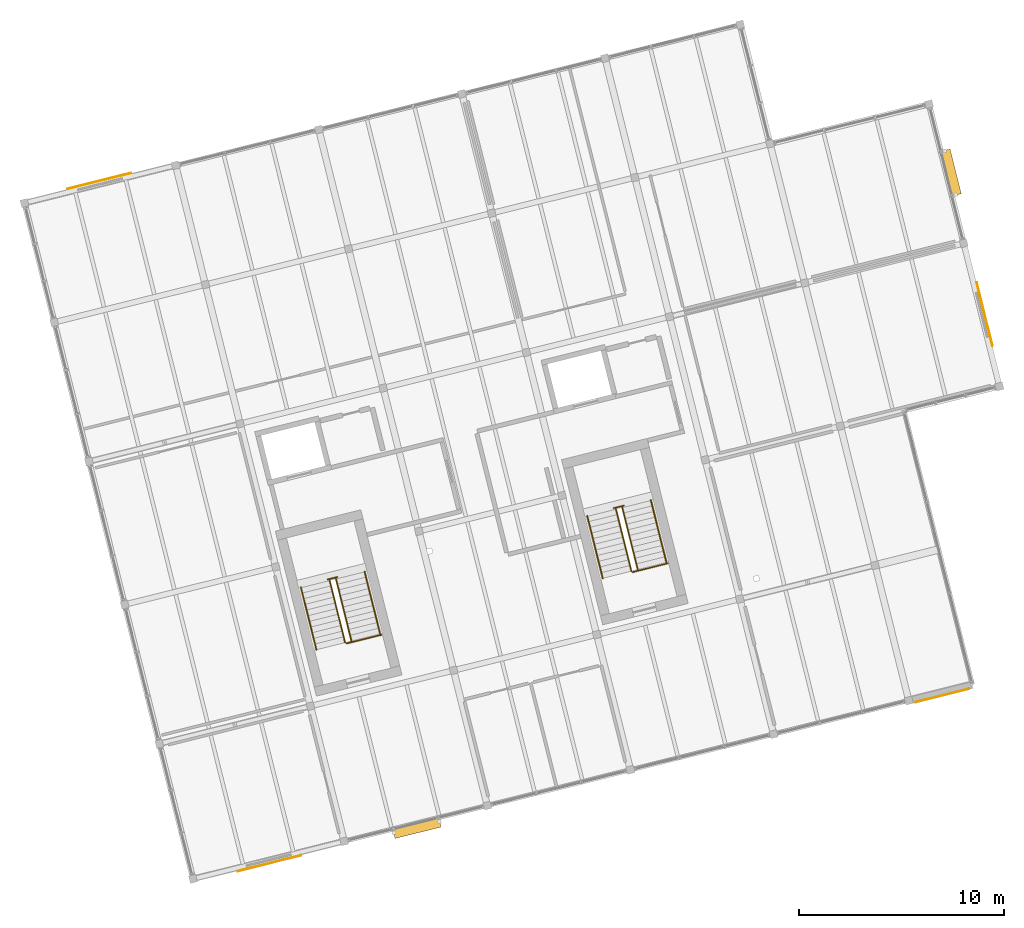
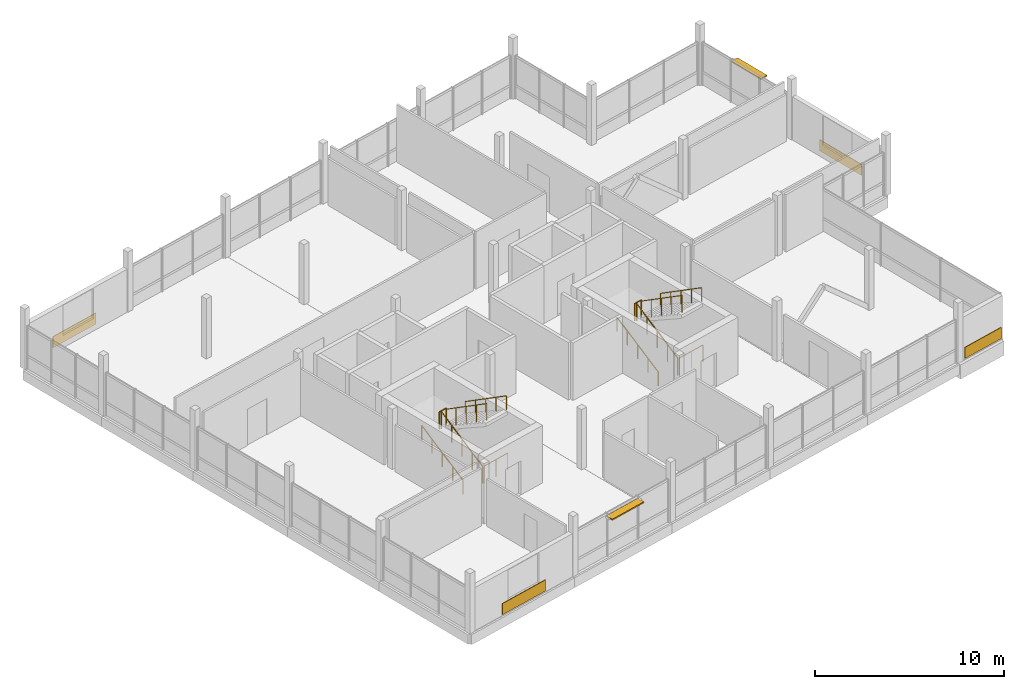
# One storey, part 28 of 28: 12 railings, 4 coverings, 2 shading devices.
"""IFC4 building model written with IfcOpenShell, lengths in metres."""

from ifc_helpers import new_model, si_unit, direction, frame, origin, origin_2d, place, context, subcontext, project, spatial, rectangle, circle, extrude, material, layer, layer_set, type_object, element, save


model = new_model("IFC4")

# Units and contexts
model_context = context("Model", 3, precision=1e-05, world=origin(), true_north=direction((0.0, 1.0)))
body_context = subcontext(model_context, "Body", "Model", "MODEL_VIEW")
ifc_project = project(units=[si_unit("LENGTHUNIT", "METRE"), si_unit("AREAUNIT", "SQUARE_METRE"), si_unit("VOLUMEUNIT", "CUBIC_METRE"), si_unit("PLANEANGLEUNIT", "RADIAN"), si_unit("MASSUNIT", "GRAM", prefix="KILO")], contexts=[model_context])

# Site, building, storey
site_placement = place(None, origin())
site = spatial("IfcSite", under=ifc_project, at=site_placement, CompositionType="ELEMENT")
building_placement = place(site_placement, origin())
building = spatial("IfcBuilding", under=site, at=building_placement, Name="Meriwether Solvik Hall", CompositionType="ELEMENT")
storey_placement = place(building_placement, frame((0.0, 0.0, 37.800048828125)))
storey = spatial("IfcBuildingStorey", under=building, at=storey_placement, Name="L09", CompositionType="ELEMENT", Elevation=37.800048828125)

# Coverings
ifc_material_1 = material(Name="Acetylated Charred Western Red Cedar Timber", Category="wood")
ifc_layer_1 = layer(ifc_material_1, 0.0400390625)
ifc_layer_set_1 = layer_set([ifc_layer_1], Name="Acetylated Charred Western Red Cedar Timber")
covering_type = type_object("IfcCoveringType", Name="COV-CLAD-TIMB", PredefinedType="CLADDING", material=ifc_layer_set_1)
covering_1_placement = place(storey_placement, frame((72.325927734375, 41.964111328125, 0.080078125), z_axis=(0.0, 0.0, 1.0), x_axis=(-0.970295715501, -0.241921938817, 0.0)))
element("IfcCovering", 1, at=covering_1_placement, inside=storey, type_object=covering_type, Name="L09 Charred Cedar Cladding 1.0", PredefinedType="CLADDING", context=body_context, shape_type="SweptSolid", body=[
    extrude(rectangle(XDim=3.199951171875, YDim=0.0400390625, at=origin_2d()), origin(), (0.0, 0.0, 1.0), 0.719970703125),
])
covering_2_placement = place(storey_placement, frame((105.177490234375, 50.15478515625, 0.080078125), z_axis=(0.0, 0.0, 1.0), x_axis=(-0.97029568366, -0.241922066523, 0.0)))
element("IfcCovering", 2, at=covering_2_placement, inside=storey, type_object=covering_type, Name="L09 Charred Cedar Cladding 1.5", PredefinedType="CLADDING", context=body_context, shape_type="SweptSolid", body=[
    extrude(rectangle(XDim=2.68505859375, YDim=0.0400390625, at=origin_2d()), origin(), (0.0, 0.0, 1.0), 0.719970703125),
])
for number, where, z_axis, x_axis, name in (
    (3, (107.22900390625, 68.763916015625, 0.080078125), (0.0, 0.0, 1.0), (0.241921897937, -0.970295725693, 0.0), "L09 Charred Cedar Cladding 4.0"),
    (4, (64.02294921875, 75.2646484375, 0.080078125), (0.0, 0.0, 1.0), (0.97029575617, 0.241921775701, 0.0), "L09 Charred Cedar Cladding 7.0"),
):
    element("IfcCovering", number, at=place(storey_placement, frame(where, z_axis=z_axis, x_axis=x_axis)), inside=storey, type_object=covering_type, Name=name, PredefinedType="CLADDING", context=body_context, shape_type="SweptSolid", body=[
        extrude(rectangle(XDim=3.199951171875, YDim=0.0400390625, at=origin_2d()), origin(), (0.0, 0.0, 1.0), 0.719970703125),
    ])

# Railings
ifc_material_2 = material(Name="Steel A36 Galvanised", Category="steel")
ifc_layer_2 = layer(ifc_material_2, 0.054931640625)
ifc_layer_set_2 = layer_set([ifc_layer_2], Name="Steel A36 Galvanised")
railing_type_1 = type_object("IfcRailingType", Name="RAIL-STR-GUARD", PredefinedType="GUARDRAIL", material=ifc_layer_set_2)
railing_1_placement = place(storey_placement, frame((75.158935546875, 55.81591796875, 1.949951171875)))
element("IfcRailing", 5, at=railing_1_placement, inside=storey, type_object=railing_type_1, Name="Stair ST-01 Landing Guardrail (L09)", PredefinedType="GUARDRAIL", context=body_context, shape_type="SweptSolid", body=[
    extrude(circle(Radius=0.02392578125, at=origin_2d()), frame((0.0, 0.0, 1.09619140625), z_axis=(0.970343250308, 0.241731207299, 0.0), x_axis=(-0.241731207299, 0.970343250308, 0.0)), (0.0, 0.0, 1.0), 0.5),
    extrude(circle(Radius=0.02099609375, at=origin_2d()), origin(), (0.0, 0.0, 1.0), 1.072021484375),
    extrude(circle(Radius=0.02099609375, at=origin_2d()), frame((0.485107421875, 0.120849609375, 0.0)), (0.0, 0.0, 1.0), 1.072021484375),
])
railing_2_placement = place(storey_placement, frame((76.092041015625, 52.69384765625, 0.0)))
element("IfcRailing", 6, at=railing_2_placement, inside=storey, type_object=railing_type_1, Name="Stair ST-01 Well Guardrail (L09)", PredefinedType="GUARDRAIL", context=body_context, shape_type="SweptSolid", body=[
    extrude(circle(Radius=0.02392578125, at=origin_2d()), frame((0.0, 0.0, 1.09619140625), z_axis=(0.970298223594, 0.241911879182, 0.0), x_axis=(-0.241911879182, 0.970298223594, 0.0)), (0.0, 0.0, 1.0), 1.75),
    extrude(circle(Radius=0.02099609375, at=origin_2d()), origin(), (0.0, 0.0, 1.0), 1.072021484375),
    extrude(circle(Radius=0.02099609375, at=origin_2d()), frame((0.84912109375, 0.211669921875, 0.0)), (0.0, 0.0, 1.0), 1.072021484375),
    extrude(circle(Radius=0.02099609375, at=origin_2d()), frame((1.697998046875, 0.42333984375, 0.0)), (0.0, 0.0, 1.0), 1.072021484375),
])
railing_3_placement = place(storey_placement, frame((76.019287109375, 52.737548828125, 0.0)))
element("IfcRailing", 7, at=railing_3_placement, inside=storey, type_object=railing_type_1, Name="Stair ST-01 Flight 1 Inner Guardrail (L09)", PredefinedType="GUARDRAIL", context=body_context, shape_type="SweptSolid", body=[
    extrude(circle(Radius=0.02392578125, at=origin_2d()), frame((0.0, 0.0, 1.09619140625), z_axis=(-0.205452207734, 0.823924849814, 0.528145086313), x_axis=(-0.970288906122, -0.2419492481, 0.0)), (0.0, 0.0, 1.0), 3.692138671875),
    extrude(circle(Radius=0.02099609375, at=origin_2d()), origin(), (0.0, 0.0, 1.0), 1.072021484375),
    extrude(circle(Radius=0.02099609375, at=origin_2d()), frame((-0.189697265625, 0.760498046875, 0.487548828125)), (0.0, 0.0, 1.0), 1.072021484375),
    extrude(circle(Radius=0.02099609375, at=origin_2d()), frame((-0.37939453125, 1.52099609375, 0.97509765625)), (0.0, 0.0, 1.0), 1.072021484375),
    extrude(circle(Radius=0.02099609375, at=origin_2d()), frame((-0.56884765625, 2.281494140625, 1.46240234375)), (0.0, 0.0, 1.0), 1.072021484375),
    extrude(circle(Radius=0.02099609375, at=origin_2d()), frame((-0.758544921875, 3.0419921875, 1.949951171875)), (0.0, 0.0, 1.0), 1.072021484375),
])
railing_4_placement = place(storey_placement, frame((75.5712890625, 55.85693359375, 1.949951171875)))
element("IfcRailing", 8, at=railing_4_placement, inside=storey, type_object=railing_type_1, Name="Stair ST-01 Flight 2 Inner Guardrail (L09)", PredefinedType="GUARDRAIL", context=body_context, shape_type="SweptSolid", body=[
    extrude(circle(Radius=0.02392578125, at=origin_2d()), frame((0.0, 0.0, 1.09619140625), z_axis=(0.205388872055, -0.823936041794, 0.528152260498), x_axis=(0.970307185051, 0.241875932325, 0.0)), (0.0, 0.0, 1.0), 3.692138671875),
    extrude(circle(Radius=0.02099609375, at=origin_2d()), origin(), (0.0, 0.0, 1.0), 1.072021484375),
    extrude(circle(Radius=0.02099609375, at=origin_2d()), frame((0.189453125, -0.760498046875, 0.487548828125)), (0.0, 0.0, 1.0), 1.072021484375),
    extrude(circle(Radius=0.02099609375, at=origin_2d()), frame((0.379150390625, -1.52099609375, 0.97509765625)), (0.0, 0.0, 1.0), 1.072021484375),
    extrude(circle(Radius=0.02099609375, at=origin_2d()), frame((0.56884765625, -2.281494140625, 1.46240234375)), (0.0, 0.0, 1.0), 1.072021484375),
    extrude(circle(Radius=0.02099609375, at=origin_2d()), frame((0.75830078125, -3.0419921875, 1.949951171875)), (0.0, 0.0, 1.0), 1.072021484375),
])
railing_5_placement = place(storey_placement, frame((89.131103515625, 59.299560546875, 1.949951171875)))
element("IfcRailing", 9, at=railing_5_placement, inside=storey, type_object=railing_type_1, Name="Stair ST-02 Landing Guardrail (L09)", PredefinedType="GUARDRAIL", context=body_context, shape_type="SweptSolid", body=[
    extrude(circle(Radius=0.02392578125, at=origin_2d()), frame((0.0, 0.0, 1.09619140625), z_axis=(0.970228607419, 0.242190935722, 0.0), x_axis=(-0.242190935722, 0.970228607419, 0.0)), (0.0, 0.0, 1.0), 0.5),
    extrude(circle(Radius=0.02099609375, at=origin_2d()), origin(), (0.0, 0.0, 1.0), 1.072021484375),
    extrude(circle(Radius=0.02099609375, at=origin_2d()), frame((0.485107421875, 0.12109375, 0.0)), (0.0, 0.0, 1.0), 1.072021484375),
])
railing_6_placement = place(storey_placement, frame((90.064208984375, 56.177490234375, 0.0)))
element("IfcRailing", 10, at=railing_6_placement, inside=storey, type_object=railing_type_1, Name="Stair ST-02 Well Guardrail (L09)", PredefinedType="GUARDRAIL", context=body_context, shape_type="SweptSolid", body=[
    extrude(circle(Radius=0.02392578125, at=origin_2d()), frame((0.0, 0.0, 1.09619140625), z_axis=(0.970298223594, 0.241911879182, 0.0), x_axis=(-0.241911879182, 0.970298223594, 0.0)), (0.0, 0.0, 1.0), 1.75),
    extrude(circle(Radius=0.02099609375, at=origin_2d()), origin(), (0.0, 0.0, 1.0), 1.072021484375),
    extrude(circle(Radius=0.02099609375, at=origin_2d()), frame((0.84912109375, 0.211669921875, 0.0)), (0.0, 0.0, 1.0), 1.072021484375),
    extrude(circle(Radius=0.02099609375, at=origin_2d()), frame((1.697998046875, 0.42333984375, 0.0)), (0.0, 0.0, 1.0), 1.072021484375),
])
railing_7_placement = place(storey_placement, frame((89.991455078125, 56.22119140625, 0.0)))
element("IfcRailing", 11, at=railing_7_placement, inside=storey, type_object=railing_type_1, Name="Stair ST-02 Flight 1 Inner Guardrail (L09)", PredefinedType="GUARDRAIL", context=body_context, shape_type="SweptSolid", body=[
    extrude(circle(Radius=0.02392578125, at=origin_2d()), frame((0.0, 0.0, 1.09619140625), z_axis=(-0.205452207734, 0.823924849814, 0.528145086313), x_axis=(-0.970288906122, -0.2419492481, 0.0)), (0.0, 0.0, 1.0), 3.692138671875),
    extrude(circle(Radius=0.02099609375, at=origin_2d()), origin(), (0.0, 0.0, 1.0), 1.072021484375),
    extrude(circle(Radius=0.02099609375, at=origin_2d()), frame((-0.189697265625, 0.760498046875, 0.487548828125)), (0.0, 0.0, 1.0), 1.072021484375),
    extrude(circle(Radius=0.02099609375, at=origin_2d()), frame((-0.37939453125, 1.52099609375, 0.97509765625)), (0.0, 0.0, 1.0), 1.072021484375),
    extrude(circle(Radius=0.02099609375, at=origin_2d()), frame((-0.56884765625, 2.281494140625, 1.46240234375)), (0.0, 0.0, 1.0), 1.072021484375),
    extrude(circle(Radius=0.02099609375, at=origin_2d()), frame((-0.758544921875, 3.0419921875, 1.949951171875)), (0.0, 0.0, 1.0), 1.072021484375),
])
railing_8_placement = place(storey_placement, frame((89.54345703125, 59.340576171875, 1.949951171875)))
element("IfcRailing", 12, at=railing_8_placement, inside=storey, type_object=railing_type_1, Name="Stair ST-02 Flight 2 Inner Guardrail (L09)", PredefinedType="GUARDRAIL", context=body_context, shape_type="SweptSolid", body=[
    extrude(circle(Radius=0.02392578125, at=origin_2d()), frame((0.0, 0.0, 1.09619140625), z_axis=(0.205452207734, -0.823924849814, 0.528145086313), x_axis=(0.970288906122, 0.2419492481, 0.0)), (0.0, 0.0, 1.0), 3.692138671875),
    extrude(circle(Radius=0.02099609375, at=origin_2d()), origin(), (0.0, 0.0, 1.0), 1.072021484375),
    extrude(circle(Radius=0.02099609375, at=origin_2d()), frame((0.189697265625, -0.760498046875, 0.487548828125)), (0.0, 0.0, 1.0), 1.072021484375),
    extrude(circle(Radius=0.02099609375, at=origin_2d()), frame((0.37939453125, -1.52099609375, 0.97509765625)), (0.0, 0.0, 1.0), 1.072021484375),
    extrude(circle(Radius=0.02099609375, at=origin_2d()), frame((0.56884765625, -2.281494140625, 1.46240234375)), (0.0, 0.0, 1.0), 1.072021484375),
    extrude(circle(Radius=0.02099609375, at=origin_2d()), frame((0.758544921875, -3.0419921875, 1.949951171875)), (0.0, 0.0, 1.0), 1.072021484375),
])
ifc_material_3 = material(Name="Stainless Steel AISI 316", Category="steel")
ifc_layer_3 = layer(ifc_material_3, 0.044921875)
ifc_layer_set_3 = layer_set([ifc_layer_3], Name="Stainless Steel AISI 316")
railing_type_2 = type_object("IfcRailingType", Name="RAIL-STR-HAND", PredefinedType="HANDRAIL", material=ifc_layer_set_3)
railing_9_placement = place(storey_placement, frame((74.6220703125, 52.38916015625, 0.0)))
element("IfcRailing", 13, at=railing_9_placement, inside=storey, type_object=railing_type_2, Name="Stair ST-01 Lower Handrail (L09)", PredefinedType="HANDRAIL", context=body_context, shape_type="SweptSolid", body=[
    extrude(circle(Radius=0.02392578125, at=origin_2d()), frame((0.0, 0.0, 0.89599609375), z_axis=(-0.205467106702, 0.823914517495, 0.528155408876), x_axis=(-0.970284074567, -0.241968623258, 0.0)), (0.0, 0.0, 1.0), 3.698974609375),
    extrude(circle(Radius=0.02099609375, at=origin_2d()), origin(), (0.0, 0.0, 1.0), 0.871826171875),
    extrude(circle(Radius=0.02099609375, at=origin_2d()), frame((-0.18994140625, 0.761962890625, 0.48828125)), (0.0, 0.0, 1.0), 0.871826171875),
    extrude(circle(Radius=0.02099609375, at=origin_2d()), frame((-0.3798828125, 1.52392578125, 0.976806640625)), (0.0, 0.0, 1.0), 0.871826171875),
    extrude(circle(Radius=0.02099609375, at=origin_2d()), frame((-0.570068359375, 2.28564453125, 1.46533203125)), (0.0, 0.0, 1.0), 0.871826171875),
    extrude(circle(Radius=0.02099609375, at=origin_2d()), frame((-0.760009765625, 3.047607421875, 1.95361328125)), (0.0, 0.0, 1.0), 0.871826171875),
])
railing_10_placement = place(storey_placement, frame((76.968505859375, 56.205322265625, 1.949951171875)))
element("IfcRailing", 14, at=railing_10_placement, inside=storey, type_object=railing_type_2, Name="Stair ST-01 Upper Handrail (L09)", PredefinedType="HANDRAIL", context=body_context, shape_type="SweptSolid", body=[
    extrude(circle(Radius=0.02392578125, at=origin_2d()), frame((0.0, 0.0, 0.89599609375), z_axis=(0.205403888919, -0.823925689387, 0.528162570414), x_axis=(0.970302321101, 0.241895443665, 0.0)), (0.0, 0.0, 1.0), 3.698974609375),
    extrude(circle(Radius=0.02099609375, at=origin_2d()), origin(), (0.0, 0.0, 1.0), 0.871826171875),
    extrude(circle(Radius=0.02099609375, at=origin_2d()), frame((0.18994140625, -0.761962890625, 0.48828125)), (0.0, 0.0, 1.0), 0.871826171875),
    extrude(circle(Radius=0.02099609375, at=origin_2d()), frame((0.3798828125, -1.52392578125, 0.976806640625)), (0.0, 0.0, 1.0), 0.871826171875),
    extrude(circle(Radius=0.02099609375, at=origin_2d()), frame((0.56982421875, -2.28564453125, 1.46533203125)), (0.0, 0.0, 1.0), 0.871826171875),
    extrude(circle(Radius=0.02099609375, at=origin_2d()), frame((0.759765625, -3.047607421875, 1.95361328125)), (0.0, 0.0, 1.0), 0.871826171875),
])
railing_11_placement = place(storey_placement, frame((88.59423828125, 55.872802734375, 0.0)))
element("IfcRailing", 15, at=railing_11_placement, inside=storey, type_object=railing_type_2, Name="Stair ST-02 Lower Handrail (L09)", PredefinedType="HANDRAIL", context=body_context, shape_type="SweptSolid", body=[
    extrude(circle(Radius=0.02392578125, at=origin_2d()), frame((0.0, 0.0, 0.89599609375), z_axis=(-0.205403888919, 0.823925689387, 0.528162570414), x_axis=(-0.970302321101, -0.241895443665, 0.0)), (0.0, 0.0, 1.0), 3.698974609375),
    extrude(circle(Radius=0.02099609375, at=origin_2d()), origin(), (0.0, 0.0, 1.0), 0.871826171875),
    extrude(circle(Radius=0.02099609375, at=origin_2d()), frame((-0.18994140625, 0.761962890625, 0.48828125)), (0.0, 0.0, 1.0), 0.871826171875),
    extrude(circle(Radius=0.02099609375, at=origin_2d()), frame((-0.3798828125, 1.52392578125, 0.976806640625)), (0.0, 0.0, 1.0), 0.871826171875),
    extrude(circle(Radius=0.02099609375, at=origin_2d()), frame((-0.56982421875, 2.28564453125, 1.46533203125)), (0.0, 0.0, 1.0), 0.871826171875),
    extrude(circle(Radius=0.02099609375, at=origin_2d()), frame((-0.759765625, 3.047607421875, 1.95361328125)), (0.0, 0.0, 1.0), 0.871826171875),
])
railing_12_placement = place(storey_placement, frame((90.940673828125, 59.68896484375, 1.949951171875)))
element("IfcRailing", 16, at=railing_12_placement, inside=storey, type_object=railing_type_2, Name="Stair ST-02 Upper Handrail (L09)", PredefinedType="HANDRAIL", context=body_context, shape_type="SweptSolid", body=[
    extrude(circle(Radius=0.02392578125, at=origin_2d()), frame((0.0, 0.0, 0.89599609375), z_axis=(0.205467106702, -0.823914517495, 0.528155408876), x_axis=(0.970284074567, 0.241968623258, 0.0)), (0.0, 0.0, 1.0), 3.698974609375),
    extrude(circle(Radius=0.02099609375, at=origin_2d()), origin(), (0.0, 0.0, 1.0), 0.871826171875),
    extrude(circle(Radius=0.02099609375, at=origin_2d()), frame((0.18994140625, -0.761962890625, 0.48828125)), (0.0, 0.0, 1.0), 0.871826171875),
    extrude(circle(Radius=0.02099609375, at=origin_2d()), frame((0.3798828125, -1.52392578125, 0.976806640625)), (0.0, 0.0, 1.0), 0.871826171875),
    extrude(circle(Radius=0.02099609375, at=origin_2d()), frame((0.570068359375, -2.28564453125, 1.46533203125)), (0.0, 0.0, 1.0), 0.871826171875),
    extrude(circle(Radius=0.02099609375, at=origin_2d()), frame((0.760009765625, -3.047607421875, 1.95361328125)), (0.0, 0.0, 1.0), 0.871826171875),
])

# Shading devices
ifc_material_4 = material(Name="Anodised Aluminium 6063-T6", Category="aluminium")
shading_device_type_1 = type_object("IfcShadingDeviceType", Name="SHD-LOUVRE-S", PredefinedType="SHUTTER", material=ifc_material_4)
shading_device_1_placement = place(storey_placement, frame((79.525390625, 43.6767578125, 2.530029296875), z_axis=(0.0, 0.0, 1.0), x_axis=(-0.970295725693, -0.241921897937, 0.0)))
element("IfcShadingDevice", 17, at=shading_device_1_placement, inside=storey, type_object=shading_device_type_1, Name="Solar Shading Louvre E0_B1", PredefinedType="SHUTTER", context=body_context, shape_type="SweptSolid", body=[
    extrude(rectangle(XDim=2.322265625, YDim=0.4599609375, at=origin_2d()), origin(), (0.0, 0.0, 1.0), 0.080078125),
])
ifc_material_5 = material(Name="Anodised Aluminium 6063-T6", Category="aluminium")
shading_device_type_2 = type_object("IfcShadingDeviceType", Name="SHD-LOUVRE-W", PredefinedType="USERDEFINED", material=ifc_material_5)
shading_device_2_placement = place(storey_placement, frame((105.598876953125, 75.6748046875, 2.530029296875), z_axis=(0.0, 0.0, 1.0), x_axis=(0.241921804422, -0.970295749009, 0.0)))
element("IfcShadingDevice", 18, at=shading_device_2_placement, inside=storey, type_object=shading_device_type_2, Name="Solar Shading Louvre E3_B1", ObjectType="LOUVER", PredefinedType="USERDEFINED", context=body_context, shape_type="SweptSolid", body=[
    extrude(rectangle(XDim=2.255615234375, YDim=0.4599609375, at=origin_2d()), origin(), (0.0, 0.0, 1.0), 0.080078125),
])

save(model, "model.ifc")
